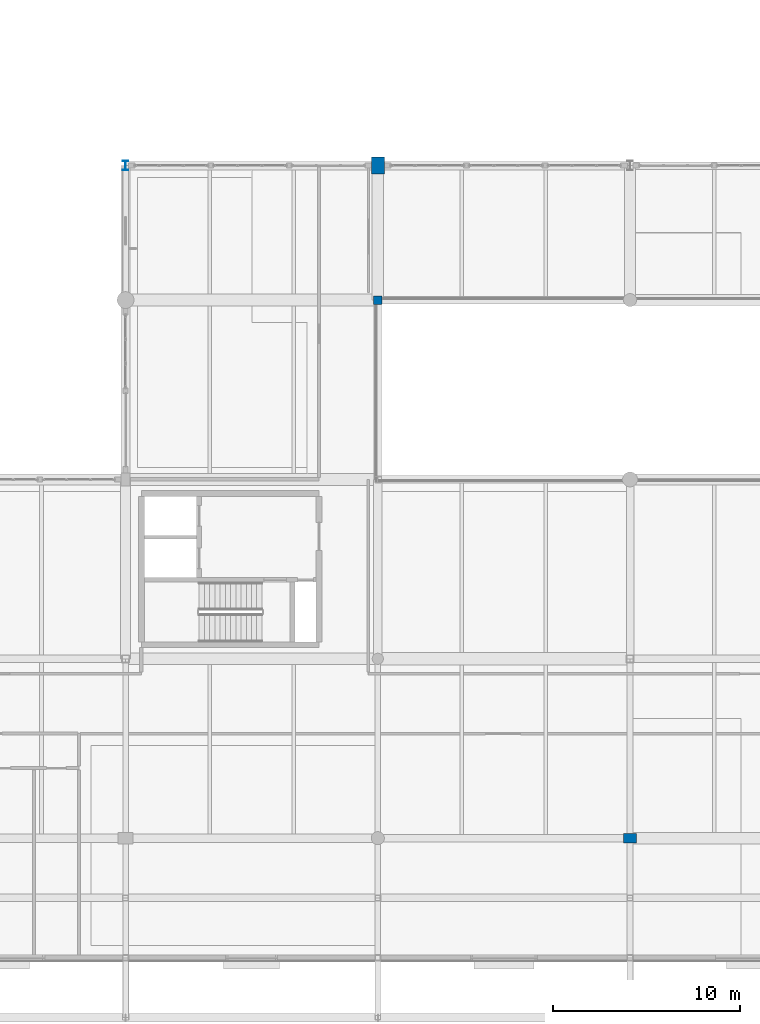
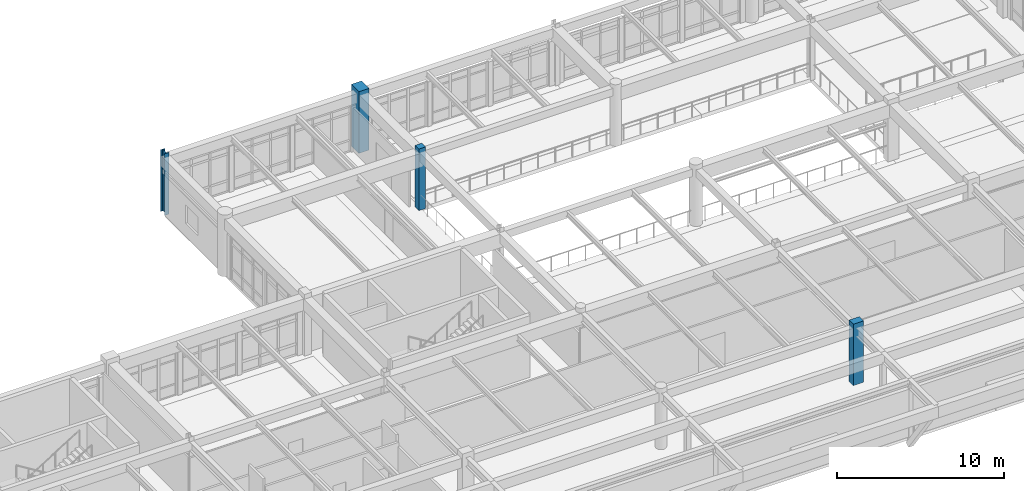
# One storey, part 4 of 80: 4 columns.
"""IFC4 building model written with IfcOpenShell, lengths in metres."""

from ifc_helpers import new_model, si_unit, direction, frame, origin, origin_2d, place, context, subcontext, project, spatial, rectangle, i_section, extrude, material, material_profile, profile_set, type_object, element, save


model = new_model("IFC4")

# Units and contexts
model_context = context("Model", 3, precision=1e-05, world=origin(), true_north=direction((0.0, 1.0)))
body_context = subcontext(model_context, "Body", "Model", "MODEL_VIEW")
ifc_project = project(units=[si_unit("LENGTHUNIT", "METRE"), si_unit("AREAUNIT", "SQUARE_METRE"), si_unit("VOLUMEUNIT", "CUBIC_METRE"), si_unit("PLANEANGLEUNIT", "RADIAN"), si_unit("MASSUNIT", "GRAM", prefix="KILO")], contexts=[model_context])

# Site, building, storey
site_placement = place(None, origin())
site = spatial("IfcSite", under=ifc_project, at=site_placement, CompositionType="ELEMENT")
building_placement = place(site_placement, origin())
building = spatial("IfcBuilding", under=site, at=building_placement, Name="Fikremerkos Civic Library", CompositionType="ELEMENT")
storey_placement = place(building_placement, frame((0.0, 0.0, 9.89990234375)))
storey = spatial("IfcBuildingStorey", under=building, at=storey_placement, Name="L02", CompositionType="ELEMENT", Elevation=9.89990234375)

# Columns
ifc_material_1 = material(Name="Concrete C40/50", Category="concrete")
ifc_material_profile_1 = material_profile(ifc_material_1, rectangle(XDim=0.449951171875, YDim=0.449951171875, at=origin_2d()), Name="RC 450x450")
ifc_profile_set_1 = profile_set([ifc_material_profile_1], Name="Concrete C40/50")
column_type_1 = type_object("IfcColumnType", Name="Structural column COL-12 RC 450x450", PredefinedType="COLUMN", material=ifc_profile_set_1)
column_1_placement = place(storey_placement, frame((59.699951171875, 40.800048828125, 0.0), z_axis=(0.0, 0.0, 1.0), x_axis=(1.0, 0.0, 0.0)))
element("IfcColumn", 1, at=column_1_placement, inside=storey, type_object=column_type_1, Name="Column COL-12 L02 6/H", PredefinedType="COLUMN", context=body_context, shape_type="SweptSolid", body=[
    extrude(rectangle(XDim=0.449951171875, YDim=0.449951171875, at=origin_2d()), origin(), (0.0, 0.0, 1.0), 4.5),
])
ifc_material_profile_2 = material_profile(ifc_material_1, rectangle(XDim=0.89990234375, YDim=0.699951171875, at=origin_2d()), Name="RC 900x700")
ifc_profile_set_2 = profile_set([ifc_material_profile_2], Name="Concrete C40/50")
column_type_2 = type_object("IfcColumnType", Name="Structural column COL-13 RC 900x700", PredefinedType="COLUMN", material=ifc_profile_set_2)
column_2_placement = place(storey_placement, frame((59.699951171875, 48.0, 0.0), z_axis=(0.0, 0.0, 1.0), x_axis=(0.0, 1.0, 0.0)))
element("IfcColumn", 2, at=column_2_placement, inside=storey, type_object=column_type_2, Name="Column COL-13 L02 6/J", PredefinedType="COLUMN", context=body_context, shape_type="SweptSolid", body=[
    extrude(rectangle(XDim=0.89990234375, YDim=0.699951171875, at=origin_2d()), origin(), (0.0, 0.0, 1.0), 4.5),
])
ifc_material_profile_3 = material_profile(ifc_material_1, rectangle(XDim=0.699951171875, YDim=0.5, at=origin_2d()), Name="RC 700x500")
ifc_profile_set_3 = profile_set([ifc_material_profile_3], Name="Concrete C40/50")
column_type_3 = type_object("IfcColumnType", Name="Structural column COL-16 RC 700x500", PredefinedType="COLUMN", material=ifc_profile_set_3)
column_3_placement = place(storey_placement, frame((73.199951171875, 12.0, 0.0), z_axis=(0.0, 0.0, 1.0), x_axis=(1.0, 0.0, 0.0)))
element("IfcColumn", 3, at=column_3_placement, inside=storey, type_object=column_type_3, Name="Column COL-16 L02 7/E", PredefinedType="COLUMN", context=body_context, shape_type="SweptSolid", body=[
    extrude(rectangle(XDim=0.699951171875, YDim=0.5, at=origin_2d()), origin(), (0.0, 0.0, 1.0), 4.5),
])
ifc_material_2 = material(Name="Steel S355", Category="steel")
ifc_material_profile_4 = material_profile(ifc_material_2, i_section(OverallWidth=0.300048828125, OverallDepth=0.5, WebThickness=0.014404296875, FlangeThickness=0.028076171875, FilletRadius=0.027099609375, at=origin_2d()), Name="HEB 500")
ifc_profile_set_4 = profile_set([ifc_material_profile_4], Name="Steel S355")
column_type_4 = type_object("IfcColumnType", Name="Structural column COL-22 HEB 500", PredefinedType="COLUMN", material=ifc_profile_set_4)
column_4_placement = place(storey_placement, frame((46.199951171875, 48.0, 0.0), z_axis=(0.0, 0.0, 1.0), x_axis=(1.0, 0.0, 0.0)))
element("IfcColumn", 4, at=column_4_placement, inside=storey, type_object=column_type_4, Name="Column COL-22 L02 5/J", PredefinedType="COLUMN", context=body_context, shape_type="SweptSolid", body=[
    extrude(i_section(OverallWidth=0.300048828125, OverallDepth=0.5, WebThickness=0.014404296875, FlangeThickness=0.028076171875, FilletRadius=0.027099609375, at=origin_2d()), origin(), (0.0, 0.0, 1.0), 4.5),
])

save(model, "model.ifc")
